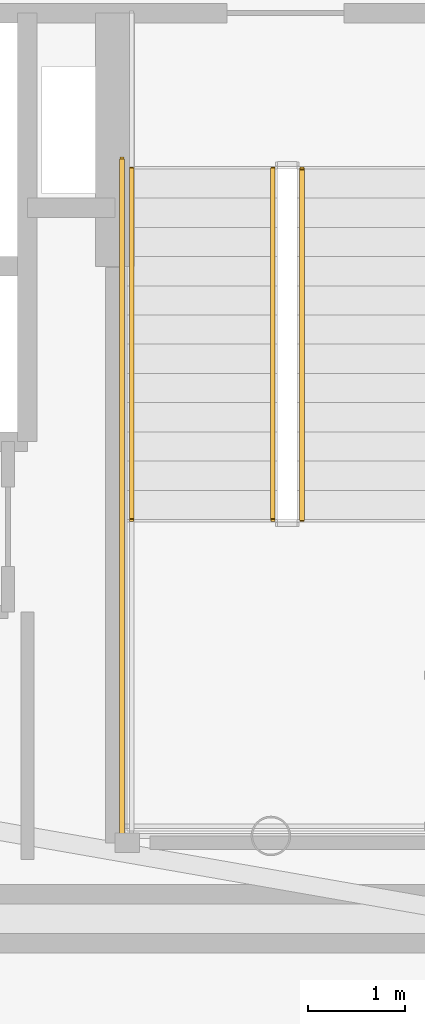
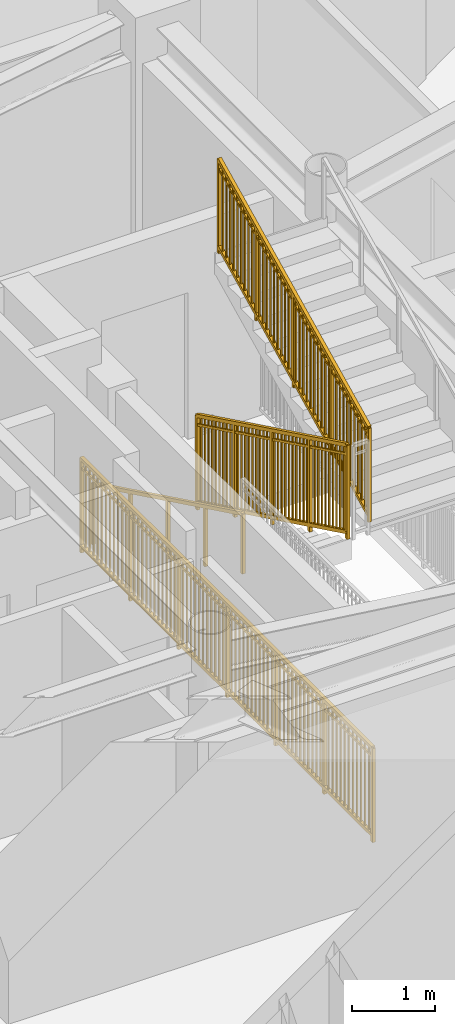
# One storey, part 13 of 17: 4 railings.
"""IFC4 building model written with IfcOpenShell, lengths in metres."""

from ifc_helpers import new_model, si_unit, direction, frame, origin, origin_2d, place, context, subcontext, project, spatial, rectangle, extrude, source, transform, mapped, material, type_object, element, save


model = new_model("IFC4")

# Units and contexts
model_context = context("Model", 3, precision=1e-05, world=origin(), true_north=direction((0.0, 1.0)))
body_context = subcontext(model_context, "Body", "Model", "MODEL_VIEW")
ifc_project = project(units=[si_unit("LENGTHUNIT", "METRE"), si_unit("AREAUNIT", "SQUARE_METRE"), si_unit("VOLUMEUNIT", "CUBIC_METRE"), si_unit("PLANEANGLEUNIT", "RADIAN"), si_unit("MASSUNIT", "GRAM", prefix="KILO")], contexts=[model_context])

# Site, building, storey
site_placement = place(None, origin())
site = spatial("IfcSite", under=ifc_project, at=site_placement, CompositionType="ELEMENT")
building_placement = place(site_placement, origin())
building = spatial("IfcBuilding", under=site, at=building_placement, Name="Linh Dai School and Residence Tower", CompositionType="ELEMENT")
storey_placement = place(building_placement, frame((0.0, 0.0, 331.60009765625)))
storey = spatial("IfcBuildingStorey", under=building, at=storey_placement, Name="L82", CompositionType="ELEMENT", Elevation=331.60009765625)

# Railings
ifc_material_1 = material(Name="Structural Steel S355JR", Category="steel")
railing_type_1 = type_object("IfcRailingType", Name="RL-ST-GUARD-1400", PredefinedType="GUARDRAIL", material=ifc_material_1)
shared_shape_1 = source(origin(), body_context, "Body", "SweptSolid", [
    extrude(rectangle(XDim=0.048095703125, YDim=0.048095703125, at=origin_2d()), frame((0.0, 0.0, 1.3759765625), z_axis=(0.0, 0.899012640991, 0.437922677352), x_axis=(-1.0, 0.0, 0.0)), (0.0, 0.0, 1.0), 4.00439453125),
    extrude(rectangle(XDim=0.048095703125, YDim=0.048095703125, at=origin_2d()), frame((0.0, 0.0, 0.10009765625), z_axis=(0.0, 0.899012640991, 0.437922677352), x_axis=(-1.0, 0.0, 0.0)), (0.0, 0.0, 1.0), 4.00439453125),
    extrude(rectangle(XDim=0.030029296875, YDim=0.030029296875, at=origin_2d()), frame((0.0, 0.0, 1.239990234375), z_axis=(0.0, 0.899012640991, 0.437922677352), x_axis=(-1.0, 0.0, 0.0)), (0.0, 0.0, 1.0), 4.00439453125),
    extrude(rectangle(XDim=0.02001953125, YDim=0.02001953125, at=origin_2d()), frame((0.0, 0.087890625, 0.142822265625)), (0.0, 0.0, 1.0), 1.251708984375),
    extrude(rectangle(XDim=0.02001953125, YDim=0.02001953125, at=origin_2d()), frame((0.0, 0.175537109375, 0.185546875)), (0.0, 0.0, 1.0), 1.251708984375),
    extrude(rectangle(XDim=0.02001953125, YDim=0.02001953125, at=origin_2d()), frame((0.0, 0.263427734375, 0.228515625)), (0.0, 0.0, 1.0), 1.251708984375),
    extrude(rectangle(XDim=0.02001953125, YDim=0.02001953125, at=origin_2d()), frame((0.0, 0.351318359375, 0.271240234375)), (0.0, 0.0, 1.0), 1.251708984375),
    extrude(rectangle(XDim=0.02001953125, YDim=0.02001953125, at=origin_2d()), frame((0.0, 0.43896484375, 0.31396484375)), (0.0, 0.0, 1.0), 1.251708984375),
    extrude(rectangle(XDim=0.02001953125, YDim=0.02001953125, at=origin_2d()), frame((0.0, 0.52685546875, 0.356689453125)), (0.0, 0.0, 1.0), 1.251708984375),
    extrude(rectangle(XDim=0.02001953125, YDim=0.02001953125, at=origin_2d()), frame((0.0, 0.61474609375, 0.3994140625)), (0.0, 0.0, 1.0), 1.251708984375),
    extrude(rectangle(XDim=0.02001953125, YDim=0.02001953125, at=origin_2d()), frame((0.0, 0.702392578125, 0.4423828125)), (0.0, 0.0, 1.0), 1.251708984375),
    extrude(rectangle(XDim=0.02001953125, YDim=0.02001953125, at=origin_2d()), frame((0.0, 0.790283203125, 0.485107421875)), (0.0, 0.0, 1.0), 1.251708984375),
    extrude(rectangle(XDim=0.02001953125, YDim=0.02001953125, at=origin_2d()), frame((0.0, 0.9658203125, 0.570556640625)), (0.0, 0.0, 1.0), 1.251708984375),
    extrude(rectangle(XDim=0.02001953125, YDim=0.02001953125, at=origin_2d()), frame((0.0, 1.0537109375, 0.61328125)), (0.0, 0.0, 1.0), 1.251708984375),
    extrude(rectangle(XDim=0.02001953125, YDim=0.02001953125, at=origin_2d()), frame((0.0, 1.1416015625, 0.65625)), (0.0, 0.0, 1.0), 1.251708984375),
    extrude(rectangle(XDim=0.02001953125, YDim=0.02001953125, at=origin_2d()), frame((0.0, 1.229248046875, 0.698974609375)), (0.0, 0.0, 1.0), 1.251708984375),
    extrude(rectangle(XDim=0.02001953125, YDim=0.02001953125, at=origin_2d()), frame((0.0, 1.317138671875, 0.74169921875)), (0.0, 0.0, 1.0), 1.251708984375),
    extrude(rectangle(XDim=0.02001953125, YDim=0.02001953125, at=origin_2d()), frame((0.0, 1.405029296875, 0.784423828125)), (0.0, 0.0, 1.0), 1.251708984375),
    extrude(rectangle(XDim=0.02001953125, YDim=0.02001953125, at=origin_2d()), frame((0.0, 1.49267578125, 0.8271484375)), (0.0, 0.0, 1.0), 1.251708984375),
    extrude(rectangle(XDim=0.02001953125, YDim=0.02001953125, at=origin_2d()), frame((0.0, 1.58056640625, 0.8701171875)), (0.0, 0.0, 1.0), 1.251708984375),
    extrude(rectangle(XDim=0.02001953125, YDim=0.02001953125, at=origin_2d()), frame((0.0, 1.66845703125, 0.912841796875)), (0.0, 0.0, 1.0), 1.251708984375),
    extrude(rectangle(XDim=0.02001953125, YDim=0.02001953125, at=origin_2d()), frame((0.0, 1.756103515625, 0.95556640625)), (0.0, 0.0, 1.0), 1.251708984375),
    extrude(rectangle(XDim=0.02001953125, YDim=0.02001953125, at=origin_2d()), frame((0.0, 1.843994140625, 0.998291015625)), (0.0, 0.0, 1.0), 1.251708984375),
    extrude(rectangle(XDim=0.02001953125, YDim=0.02001953125, at=origin_2d()), frame((0.0, 1.931640625, 1.041015625)), (0.0, 0.0, 1.0), 1.251708984375),
    extrude(rectangle(XDim=0.02001953125, YDim=0.02001953125, at=origin_2d()), frame((0.0, 2.01953125, 1.083740234375)), (0.0, 0.0, 1.0), 1.251708984375),
    extrude(rectangle(XDim=0.02001953125, YDim=0.02001953125, at=origin_2d()), frame((0.0, 2.107421875, 1.126708984375)), (0.0, 0.0, 1.0), 1.251708984375),
    extrude(rectangle(XDim=0.02001953125, YDim=0.02001953125, at=origin_2d()), frame((0.0, 2.195068359375, 1.16943359375)), (0.0, 0.0, 1.0), 1.251708984375),
    extrude(rectangle(XDim=0.02001953125, YDim=0.02001953125, at=origin_2d()), frame((0.0, 2.282958984375, 1.212158203125)), (0.0, 0.0, 1.0), 1.251708984375),
    extrude(rectangle(XDim=0.02001953125, YDim=0.02001953125, at=origin_2d()), frame((0.0, 2.370849609375, 1.2548828125)), (0.0, 0.0, 1.0), 1.251708984375),
    extrude(rectangle(XDim=0.02001953125, YDim=0.02001953125, at=origin_2d()), frame((0.0, 2.45849609375, 1.297607421875)), (0.0, 0.0, 1.0), 1.251708984375),
    extrude(rectangle(XDim=0.02001953125, YDim=0.02001953125, at=origin_2d()), frame((0.0, 2.54638671875, 1.340576171875)), (0.0, 0.0, 1.0), 1.251708984375),
    extrude(rectangle(XDim=0.02001953125, YDim=0.02001953125, at=origin_2d()), frame((0.0, 2.63427734375, 1.38330078125)), (0.0, 0.0, 1.0), 1.251708984375),
    extrude(rectangle(XDim=0.02001953125, YDim=0.02001953125, at=origin_2d()), frame((0.0, 2.809814453125, 1.46875)), (0.0, 0.0, 1.0), 1.251708984375),
    extrude(rectangle(XDim=0.02001953125, YDim=0.02001953125, at=origin_2d()), frame((0.0, 2.897705078125, 1.511474609375)), (0.0, 0.0, 1.0), 1.251708984375),
    extrude(rectangle(XDim=0.02001953125, YDim=0.02001953125, at=origin_2d()), frame((0.0, 2.9853515625, 1.554443359375)), (0.0, 0.0, 1.0), 1.251708984375),
    extrude(rectangle(XDim=0.02001953125, YDim=0.02001953125, at=origin_2d()), frame((0.0, 3.0732421875, 1.59716796875)), (0.0, 0.0, 1.0), 1.251708984375),
    extrude(rectangle(XDim=0.02001953125, YDim=0.02001953125, at=origin_2d()), frame((0.0, 3.1611328125, 1.639892578125)), (0.0, 0.0, 1.0), 1.251708984375),
    extrude(rectangle(XDim=0.02001953125, YDim=0.02001953125, at=origin_2d()), frame((0.0, 3.248779296875, 1.6826171875)), (0.0, 0.0, 1.0), 1.251708984375),
    extrude(rectangle(XDim=0.02001953125, YDim=0.02001953125, at=origin_2d()), frame((0.0, 3.336669921875, 1.725341796875)), (0.0, 0.0, 1.0), 1.251708984375),
    extrude(rectangle(XDim=0.02001953125, YDim=0.02001953125, at=origin_2d()), frame((0.0, 3.424560546875, 1.768310546875)), (0.0, 0.0, 1.0), 1.251708984375),
    extrude(rectangle(XDim=0.02001953125, YDim=0.02001953125, at=origin_2d()), frame((0.0, 3.51220703125, 1.81103515625)), (0.0, 0.0, 1.0), 1.251708984375),
    extrude(rectangle(XDim=0.0419921875, YDim=0.0419921875, at=origin_2d()), origin(), (0.0, 0.0, 1.0), 1.3759765625),
    extrude(rectangle(XDim=0.0419921875, YDim=0.0419921875, at=origin_2d()), frame((0.0, 0.89990234375, 0.4384765625)), (0.0, 0.0, 1.0), 1.3759765625),
    extrude(rectangle(XDim=0.0419921875, YDim=0.0419921875, at=origin_2d()), frame((0.0, 1.800048828125, 0.876953125)), (0.0, 0.0, 1.0), 1.3759765625),
    extrude(rectangle(XDim=0.0419921875, YDim=0.0419921875, at=origin_2d()), frame((0.0, 2.7001953125, 1.315185546875)), (0.0, 0.0, 1.0), 1.3759765625),
    extrude(rectangle(XDim=0.0419921875, YDim=0.0419921875, at=origin_2d()), frame((0.0, 3.60009765625, 1.753662109375)), (0.0, 0.0, 1.0), 1.3759765625),
])
railing_1_placement = place(storey_placement, frame((42.820068359375, 24.64990234375, 2.046142578125)))
element("IfcRailing", 1, at=railing_1_placement, inside=storey, type_object=railing_type_1, Name="L82 ST2 stair guard 6", PredefinedType="GUARDRAIL", context=body_context, shape_type="MappedRepresentation", body=[
    mapped(shared_shape_1, transform((0.0, 0.0, 0.0), x_axis=(1.0, 0.0, 0.0), y_axis=(0.0, 1.0, 0.0), z_axis=(0.0, 0.0, 1.0), scale=1.0)),
])
shared_shape_2 = source(origin(), body_context, "Body", "SweptSolid", [
    extrude(rectangle(XDim=0.048095703125, YDim=0.048095703125, at=origin_2d()), frame((0.0, 0.0, 1.3759765625), z_axis=(0.0, -0.898988637874, 0.437971949985), x_axis=(1.0, 0.0, 0.0)), (0.0, 0.0, 1.0), 4.004638671875),
    extrude(rectangle(XDim=0.048095703125, YDim=0.048095703125, at=origin_2d()), frame((0.0, 0.0, 0.10009765625), z_axis=(0.0, -0.898988637874, 0.437971949985), x_axis=(1.0, 0.0, 0.0)), (0.0, 0.0, 1.0), 4.004638671875),
    extrude(rectangle(XDim=0.030029296875, YDim=0.030029296875, at=origin_2d()), frame((0.0, 0.0, 1.239990234375), z_axis=(0.0, -0.898988637874, 0.437971949985), x_axis=(1.0, 0.0, 0.0)), (0.0, 0.0, 1.0), 4.004638671875),
    extrude(rectangle(XDim=0.02001953125, YDim=0.02001953125, at=origin_2d()), frame((0.0, -0.087890625, 0.142822265625)), (0.0, 0.0, 1.0), 1.251708984375),
    extrude(rectangle(XDim=0.02001953125, YDim=0.02001953125, at=origin_2d()), frame((0.0, -0.175537109375, 0.185546875)), (0.0, 0.0, 1.0), 1.251708984375),
    extrude(rectangle(XDim=0.02001953125, YDim=0.02001953125, at=origin_2d()), frame((0.0, -0.263427734375, 0.228515625)), (0.0, 0.0, 1.0), 1.251708984375),
    extrude(rectangle(XDim=0.02001953125, YDim=0.02001953125, at=origin_2d()), frame((0.0, -0.351318359375, 0.271240234375)), (0.0, 0.0, 1.0), 1.251708984375),
    extrude(rectangle(XDim=0.02001953125, YDim=0.02001953125, at=origin_2d()), frame((0.0, -0.43896484375, 0.31396484375)), (0.0, 0.0, 1.0), 1.251708984375),
    extrude(rectangle(XDim=0.02001953125, YDim=0.02001953125, at=origin_2d()), frame((0.0, -0.52685546875, 0.356689453125)), (0.0, 0.0, 1.0), 1.251708984375),
    extrude(rectangle(XDim=0.02001953125, YDim=0.02001953125, at=origin_2d()), frame((0.0, -0.61474609375, 0.399658203125)), (0.0, 0.0, 1.0), 1.251708984375),
    extrude(rectangle(XDim=0.02001953125, YDim=0.02001953125, at=origin_2d()), frame((0.0, -0.702392578125, 0.4423828125)), (0.0, 0.0, 1.0), 1.251708984375),
    extrude(rectangle(XDim=0.02001953125, YDim=0.02001953125, at=origin_2d()), frame((0.0, -0.790283203125, 0.485107421875)), (0.0, 0.0, 1.0), 1.251708984375),
    extrude(rectangle(XDim=0.02001953125, YDim=0.02001953125, at=origin_2d()), frame((0.0, -0.9658203125, 0.570556640625)), (0.0, 0.0, 1.0), 1.251708984375),
    extrude(rectangle(XDim=0.02001953125, YDim=0.02001953125, at=origin_2d()), frame((0.0, -1.0537109375, 0.613525390625)), (0.0, 0.0, 1.0), 1.251708984375),
    extrude(rectangle(XDim=0.02001953125, YDim=0.02001953125, at=origin_2d()), frame((0.0, -1.1416015625, 0.65625)), (0.0, 0.0, 1.0), 1.251708984375),
    extrude(rectangle(XDim=0.02001953125, YDim=0.02001953125, at=origin_2d()), frame((0.0, -1.229248046875, 0.698974609375)), (0.0, 0.0, 1.0), 1.251708984375),
    extrude(rectangle(XDim=0.02001953125, YDim=0.02001953125, at=origin_2d()), frame((0.0, -1.317138671875, 0.74169921875)), (0.0, 0.0, 1.0), 1.251708984375),
    extrude(rectangle(XDim=0.02001953125, YDim=0.02001953125, at=origin_2d()), frame((0.0, -1.405029296875, 0.78466796875)), (0.0, 0.0, 1.0), 1.251708984375),
    extrude(rectangle(XDim=0.02001953125, YDim=0.02001953125, at=origin_2d()), frame((0.0, -1.49267578125, 0.827392578125)), (0.0, 0.0, 1.0), 1.251708984375),
    extrude(rectangle(XDim=0.02001953125, YDim=0.02001953125, at=origin_2d()), frame((0.0, -1.58056640625, 0.8701171875)), (0.0, 0.0, 1.0), 1.251708984375),
    extrude(rectangle(XDim=0.02001953125, YDim=0.02001953125, at=origin_2d()), frame((0.0, -1.66845703125, 0.912841796875)), (0.0, 0.0, 1.0), 1.251708984375),
    extrude(rectangle(XDim=0.02001953125, YDim=0.02001953125, at=origin_2d()), frame((0.0, -1.756103515625, 0.95556640625)), (0.0, 0.0, 1.0), 1.251708984375),
    extrude(rectangle(XDim=0.02001953125, YDim=0.02001953125, at=origin_2d()), frame((0.0, -1.843994140625, 0.99853515625)), (0.0, 0.0, 1.0), 1.251708984375),
    extrude(rectangle(XDim=0.02001953125, YDim=0.02001953125, at=origin_2d()), frame((0.0, -1.931640625, 1.041259765625)), (0.0, 0.0, 1.0), 1.251708984375),
    extrude(rectangle(XDim=0.02001953125, YDim=0.02001953125, at=origin_2d()), frame((0.0, -2.01953125, 1.083984375)), (0.0, 0.0, 1.0), 1.251708984375),
    extrude(rectangle(XDim=0.02001953125, YDim=0.02001953125, at=origin_2d()), frame((0.0, -2.107421875, 1.126708984375)), (0.0, 0.0, 1.0), 1.251708984375),
    extrude(rectangle(XDim=0.02001953125, YDim=0.02001953125, at=origin_2d()), frame((0.0, -2.195068359375, 1.16943359375)), (0.0, 0.0, 1.0), 1.251708984375),
    extrude(rectangle(XDim=0.02001953125, YDim=0.02001953125, at=origin_2d()), frame((0.0, -2.282958984375, 1.21240234375)), (0.0, 0.0, 1.0), 1.251708984375),
    extrude(rectangle(XDim=0.02001953125, YDim=0.02001953125, at=origin_2d()), frame((0.0, -2.370849609375, 1.255126953125)), (0.0, 0.0, 1.0), 1.251708984375),
    extrude(rectangle(XDim=0.02001953125, YDim=0.02001953125, at=origin_2d()), frame((0.0, -2.45849609375, 1.2978515625)), (0.0, 0.0, 1.0), 1.251708984375),
    extrude(rectangle(XDim=0.02001953125, YDim=0.02001953125, at=origin_2d()), frame((0.0, -2.54638671875, 1.340576171875)), (0.0, 0.0, 1.0), 1.251708984375),
    extrude(rectangle(XDim=0.02001953125, YDim=0.02001953125, at=origin_2d()), frame((0.0, -2.63427734375, 1.383544921875)), (0.0, 0.0, 1.0), 1.251708984375),
    extrude(rectangle(XDim=0.02001953125, YDim=0.02001953125, at=origin_2d()), frame((0.0, -2.809814453125, 1.468994140625)), (0.0, 0.0, 1.0), 1.251708984375),
    extrude(rectangle(XDim=0.02001953125, YDim=0.02001953125, at=origin_2d()), frame((0.0, -2.897705078125, 1.51171875)), (0.0, 0.0, 1.0), 1.251708984375),
    extrude(rectangle(XDim=0.02001953125, YDim=0.02001953125, at=origin_2d()), frame((0.0, -2.9853515625, 1.554443359375)), (0.0, 0.0, 1.0), 1.251708984375),
    extrude(rectangle(XDim=0.02001953125, YDim=0.02001953125, at=origin_2d()), frame((0.0, -3.0732421875, 1.597412109375)), (0.0, 0.0, 1.0), 1.251708984375),
    extrude(rectangle(XDim=0.02001953125, YDim=0.02001953125, at=origin_2d()), frame((0.0, -3.1611328125, 1.64013671875)), (0.0, 0.0, 1.0), 1.251708984375),
    extrude(rectangle(XDim=0.02001953125, YDim=0.02001953125, at=origin_2d()), frame((0.0, -3.248779296875, 1.682861328125)), (0.0, 0.0, 1.0), 1.251708984375),
    extrude(rectangle(XDim=0.02001953125, YDim=0.02001953125, at=origin_2d()), frame((0.0, -3.336669921875, 1.7255859375)), (0.0, 0.0, 1.0), 1.251708984375),
    extrude(rectangle(XDim=0.02001953125, YDim=0.02001953125, at=origin_2d()), frame((0.0, -3.424560546875, 1.7685546875)), (0.0, 0.0, 1.0), 1.251708984375),
    extrude(rectangle(XDim=0.02001953125, YDim=0.02001953125, at=origin_2d()), frame((0.0, -3.51220703125, 1.811279296875)), (0.0, 0.0, 1.0), 1.251708984375),
    extrude(rectangle(XDim=0.0419921875, YDim=0.0419921875, at=origin_2d()), origin(), (0.0, 0.0, 1.0), 1.3759765625),
    extrude(rectangle(XDim=0.0419921875, YDim=0.0419921875, at=origin_2d()), frame((0.0, -0.89990234375, 0.4384765625)), (0.0, 0.0, 1.0), 1.3759765625),
    extrude(rectangle(XDim=0.0419921875, YDim=0.0419921875, at=origin_2d()), frame((0.0, -1.800048828125, 0.876953125)), (0.0, 0.0, 1.0), 1.3759765625),
    extrude(rectangle(XDim=0.0419921875, YDim=0.0419921875, at=origin_2d()), frame((0.0, -2.7001953125, 1.3154296875)), (0.0, 0.0, 1.0), 1.3759765625),
    extrude(rectangle(XDim=0.0419921875, YDim=0.0419921875, at=origin_2d()), frame((0.0, -3.60009765625, 1.75390625)), (0.0, 0.0, 1.0), 1.3759765625),
])
railing_2_placement = place(storey_placement, frame((42.52001953125, 28.25, 0.14599609375)))
element("IfcRailing", 2, at=railing_2_placement, inside=storey, type_object=railing_type_1, Name="L82 ST2 stair guard 1", PredefinedType="GUARDRAIL", context=body_context, shape_type="MappedRepresentation", body=[
    mapped(shared_shape_2, transform((0.0, 0.0, 0.0), x_axis=(1.0, 0.0, 0.0), y_axis=(0.0, 1.0, 0.0), z_axis=(0.0, 0.0, 1.0), scale=1.0)),
])
ifc_material_2 = material(Name="Brushed Stainless Steel Handrail", Category="steel")
railing_type_2 = type_object("IfcRailingType", Name="RL-ST-HANDRAIL-900", PredefinedType="HANDRAIL", material=ifc_material_2)
shared_shape_3 = source(origin(), body_context, "Body", "SweptSolid", [
    extrude(rectangle(XDim=0.048095703125, YDim=0.048095703125, at=origin_2d()), frame((0.0, 0.0, 0.8759765625), z_axis=(0.0, -0.898988637874, 0.437971949985), x_axis=(1.0, 0.0, 0.0)), (0.0, 0.0, 1.0), 4.004638671875),
    extrude(rectangle(XDim=0.0419921875, YDim=0.0419921875, at=origin_2d()), origin(), (0.0, 0.0, 1.0), 0.8759765625),
    extrude(rectangle(XDim=0.0419921875, YDim=0.0419921875, at=origin_2d()), frame((0.0, -0.89990234375, 0.4384765625)), (0.0, 0.0, 1.0), 0.8759765625),
    extrude(rectangle(XDim=0.0419921875, YDim=0.0419921875, at=origin_2d()), frame((0.0, -1.800048828125, 0.876953125)), (0.0, 0.0, 1.0), 0.8759765625),
    extrude(rectangle(XDim=0.0419921875, YDim=0.0419921875, at=origin_2d()), frame((0.0, -2.7001953125, 1.3154296875)), (0.0, 0.0, 1.0), 0.8759765625),
    extrude(rectangle(XDim=0.0419921875, YDim=0.0419921875, at=origin_2d()), frame((0.0, -3.60009765625, 1.75390625)), (0.0, 0.0, 1.0), 0.8759765625),
])
railing_3_placement = place(storey_placement, frame((41.070068359375, 28.25, 0.14599609375)))
element("IfcRailing", 3, at=railing_3_placement, inside=storey, type_object=railing_type_2, Name="L82 ST2 stair handrail 1", PredefinedType="HANDRAIL", context=body_context, shape_type="MappedRepresentation", body=[
    mapped(shared_shape_3, transform((0.0, 0.0, 0.0), x_axis=(1.0, 0.0, 0.0), y_axis=(0.0, 1.0, 0.0), z_axis=(0.0, 0.0, 1.0), scale=1.0)),
])
shared_shape_4 = source(origin(), body_context, "Body", "SweptSolid", [
    extrude(rectangle(XDim=0.048095703125, YDim=0.048095703125, at=origin_2d()), frame((0.0, 0.0, 1.3759765625), z_axis=(0.0, -1.0, 0.0), x_axis=(1.0, 0.0, 0.0)), (0.0, 0.0, 1.0), 7.0),
    extrude(rectangle(XDim=0.048095703125, YDim=0.048095703125, at=origin_2d()), frame((0.0, 0.0, 0.10009765625), z_axis=(0.0, -1.0, 0.0), x_axis=(1.0, 0.0, 0.0)), (0.0, 0.0, 1.0), 7.0),
    extrude(rectangle(XDim=0.030029296875, YDim=0.030029296875, at=origin_2d()), frame((0.0, 0.0, 1.239990234375), z_axis=(0.0, -1.0, 0.0), x_axis=(1.0, 0.0, 0.0)), (0.0, 0.0, 1.0), 7.0),
    extrude(rectangle(XDim=0.02001953125, YDim=0.02001953125, at=origin_2d()), frame((0.0, -0.09716796875, 0.10009765625)), (0.0, 0.0, 1.0), 1.251708984375),
    extrude(rectangle(XDim=0.02001953125, YDim=0.02001953125, at=origin_2d()), frame((0.0, -0.1943359375, 0.10009765625)), (0.0, 0.0, 1.0), 1.251708984375),
    extrude(rectangle(XDim=0.02001953125, YDim=0.02001953125, at=origin_2d()), frame((0.0, -0.291748046875, 0.10009765625)), (0.0, 0.0, 1.0), 1.251708984375),
    extrude(rectangle(XDim=0.02001953125, YDim=0.02001953125, at=origin_2d()), frame((0.0, -0.388916015625, 0.10009765625)), (0.0, 0.0, 1.0), 1.251708984375),
    extrude(rectangle(XDim=0.02001953125, YDim=0.02001953125, at=origin_2d()), frame((0.0, -0.486083984375, 0.10009765625)), (0.0, 0.0, 1.0), 1.251708984375),
    extrude(rectangle(XDim=0.02001953125, YDim=0.02001953125, at=origin_2d()), frame((0.0, -0.583251953125, 0.10009765625)), (0.0, 0.0, 1.0), 1.251708984375),
    extrude(rectangle(XDim=0.02001953125, YDim=0.02001953125, at=origin_2d()), frame((0.0, -0.6806640625, 0.10009765625)), (0.0, 0.0, 1.0), 1.251708984375),
    extrude(rectangle(XDim=0.02001953125, YDim=0.02001953125, at=origin_2d()), frame((0.0, -0.77783203125, 0.10009765625)), (0.0, 0.0, 1.0), 1.251708984375),
    extrude(rectangle(XDim=0.02001953125, YDim=0.02001953125, at=origin_2d()), frame((0.0, -0.875, 0.10009765625)), (0.0, 0.0, 1.0), 1.251708984375),
    extrude(rectangle(XDim=0.02001953125, YDim=0.02001953125, at=origin_2d()), frame((0.0, -0.97216796875, 0.10009765625)), (0.0, 0.0, 1.0), 1.251708984375),
    extrude(rectangle(XDim=0.02001953125, YDim=0.02001953125, at=origin_2d()), frame((0.0, -1.0693359375, 0.10009765625)), (0.0, 0.0, 1.0), 1.251708984375),
    extrude(rectangle(XDim=0.02001953125, YDim=0.02001953125, at=origin_2d()), frame((0.0, -1.263916015625, 0.10009765625)), (0.0, 0.0, 1.0), 1.251708984375),
    extrude(rectangle(XDim=0.02001953125, YDim=0.02001953125, at=origin_2d()), frame((0.0, -1.361083984375, 0.10009765625)), (0.0, 0.0, 1.0), 1.251708984375),
    extrude(rectangle(XDim=0.02001953125, YDim=0.02001953125, at=origin_2d()), frame((0.0, -1.458251953125, 0.10009765625)), (0.0, 0.0, 1.0), 1.251708984375),
    extrude(rectangle(XDim=0.02001953125, YDim=0.02001953125, at=origin_2d()), frame((0.0, -1.5556640625, 0.10009765625)), (0.0, 0.0, 1.0), 1.251708984375),
    extrude(rectangle(XDim=0.02001953125, YDim=0.02001953125, at=origin_2d()), frame((0.0, -1.65283203125, 0.10009765625)), (0.0, 0.0, 1.0), 1.251708984375),
    extrude(rectangle(XDim=0.02001953125, YDim=0.02001953125, at=origin_2d()), frame((0.0, -1.75, 0.10009765625)), (0.0, 0.0, 1.0), 1.251708984375),
    extrude(rectangle(XDim=0.02001953125, YDim=0.02001953125, at=origin_2d()), frame((0.0, -1.84716796875, 0.10009765625)), (0.0, 0.0, 1.0), 1.251708984375),
    extrude(rectangle(XDim=0.02001953125, YDim=0.02001953125, at=origin_2d()), frame((0.0, -1.9443359375, 0.10009765625)), (0.0, 0.0, 1.0), 1.251708984375),
    extrude(rectangle(XDim=0.02001953125, YDim=0.02001953125, at=origin_2d()), frame((0.0, -2.041748046875, 0.10009765625)), (0.0, 0.0, 1.0), 1.251708984375),
    extrude(rectangle(XDim=0.02001953125, YDim=0.02001953125, at=origin_2d()), frame((0.0, -2.138916015625, 0.10009765625)), (0.0, 0.0, 1.0), 1.251708984375),
    extrude(rectangle(XDim=0.02001953125, YDim=0.02001953125, at=origin_2d()), frame((0.0, -2.236083984375, 0.10009765625)), (0.0, 0.0, 1.0), 1.251708984375),
    extrude(rectangle(XDim=0.02001953125, YDim=0.02001953125, at=origin_2d()), frame((0.0, -2.4306640625, 0.10009765625)), (0.0, 0.0, 1.0), 1.251708984375),
    extrude(rectangle(XDim=0.02001953125, YDim=0.02001953125, at=origin_2d()), frame((0.0, -2.52783203125, 0.10009765625)), (0.0, 0.0, 1.0), 1.251708984375),
    extrude(rectangle(XDim=0.02001953125, YDim=0.02001953125, at=origin_2d()), frame((0.0, -2.625, 0.10009765625)), (0.0, 0.0, 1.0), 1.251708984375),
    extrude(rectangle(XDim=0.02001953125, YDim=0.02001953125, at=origin_2d()), frame((0.0, -2.72216796875, 0.10009765625)), (0.0, 0.0, 1.0), 1.251708984375),
    extrude(rectangle(XDim=0.02001953125, YDim=0.02001953125, at=origin_2d()), frame((0.0, -2.8193359375, 0.10009765625)), (0.0, 0.0, 1.0), 1.251708984375),
    extrude(rectangle(XDim=0.02001953125, YDim=0.02001953125, at=origin_2d()), frame((0.0, -2.916748046875, 0.10009765625)), (0.0, 0.0, 1.0), 1.251708984375),
    extrude(rectangle(XDim=0.02001953125, YDim=0.02001953125, at=origin_2d()), frame((0.0, -3.013916015625, 0.10009765625)), (0.0, 0.0, 1.0), 1.251708984375),
    extrude(rectangle(XDim=0.02001953125, YDim=0.02001953125, at=origin_2d()), frame((0.0, -3.111083984375, 0.10009765625)), (0.0, 0.0, 1.0), 1.251708984375),
    extrude(rectangle(XDim=0.02001953125, YDim=0.02001953125, at=origin_2d()), frame((0.0, -3.208251953125, 0.10009765625)), (0.0, 0.0, 1.0), 1.251708984375),
    extrude(rectangle(XDim=0.02001953125, YDim=0.02001953125, at=origin_2d()), frame((0.0, -3.3056640625, 0.10009765625)), (0.0, 0.0, 1.0), 1.251708984375),
    extrude(rectangle(XDim=0.02001953125, YDim=0.02001953125, at=origin_2d()), frame((0.0, -3.40283203125, 0.10009765625)), (0.0, 0.0, 1.0), 1.251708984375),
    extrude(rectangle(XDim=0.02001953125, YDim=0.02001953125, at=origin_2d()), frame((0.0, -3.59716796875, 0.10009765625)), (0.0, 0.0, 1.0), 1.251708984375),
    extrude(rectangle(XDim=0.02001953125, YDim=0.02001953125, at=origin_2d()), frame((0.0, -3.6943359375, 0.10009765625)), (0.0, 0.0, 1.0), 1.251708984375),
    extrude(rectangle(XDim=0.02001953125, YDim=0.02001953125, at=origin_2d()), frame((0.0, -3.791748046875, 0.10009765625)), (0.0, 0.0, 1.0), 1.251708984375),
    extrude(rectangle(XDim=0.02001953125, YDim=0.02001953125, at=origin_2d()), frame((0.0, -3.888916015625, 0.10009765625)), (0.0, 0.0, 1.0), 1.251708984375),
    extrude(rectangle(XDim=0.02001953125, YDim=0.02001953125, at=origin_2d()), frame((0.0, -3.986083984375, 0.10009765625)), (0.0, 0.0, 1.0), 1.251708984375),
    extrude(rectangle(XDim=0.02001953125, YDim=0.02001953125, at=origin_2d()), frame((0.0, -4.083251953125, 0.10009765625)), (0.0, 0.0, 1.0), 1.251708984375),
    extrude(rectangle(XDim=0.02001953125, YDim=0.02001953125, at=origin_2d()), frame((0.0, -4.1806640625, 0.10009765625)), (0.0, 0.0, 1.0), 1.251708984375),
    extrude(rectangle(XDim=0.02001953125, YDim=0.02001953125, at=origin_2d()), frame((0.0, -4.27783203125, 0.10009765625)), (0.0, 0.0, 1.0), 1.251708984375),
    extrude(rectangle(XDim=0.02001953125, YDim=0.02001953125, at=origin_2d()), frame((0.0, -4.375, 0.10009765625)), (0.0, 0.0, 1.0), 1.251708984375),
    extrude(rectangle(XDim=0.02001953125, YDim=0.02001953125, at=origin_2d()), frame((0.0, -4.47216796875, 0.10009765625)), (0.0, 0.0, 1.0), 1.251708984375),
    extrude(rectangle(XDim=0.02001953125, YDim=0.02001953125, at=origin_2d()), frame((0.0, -4.5693359375, 0.10009765625)), (0.0, 0.0, 1.0), 1.251708984375),
    extrude(rectangle(XDim=0.02001953125, YDim=0.02001953125, at=origin_2d()), frame((0.0, -4.763916015625, 0.10009765625)), (0.0, 0.0, 1.0), 1.251708984375),
    extrude(rectangle(XDim=0.02001953125, YDim=0.02001953125, at=origin_2d()), frame((0.0, -4.861083984375, 0.10009765625)), (0.0, 0.0, 1.0), 1.251708984375),
    extrude(rectangle(XDim=0.02001953125, YDim=0.02001953125, at=origin_2d()), frame((0.0, -4.958251953125, 0.10009765625)), (0.0, 0.0, 1.0), 1.251708984375),
    extrude(rectangle(XDim=0.02001953125, YDim=0.02001953125, at=origin_2d()), frame((0.0, -5.0556640625, 0.10009765625)), (0.0, 0.0, 1.0), 1.251708984375),
    extrude(rectangle(XDim=0.02001953125, YDim=0.02001953125, at=origin_2d()), frame((0.0, -5.15283203125, 0.10009765625)), (0.0, 0.0, 1.0), 1.251708984375),
    extrude(rectangle(XDim=0.02001953125, YDim=0.02001953125, at=origin_2d()), frame((0.0, -5.25, 0.10009765625)), (0.0, 0.0, 1.0), 1.251708984375),
    extrude(rectangle(XDim=0.02001953125, YDim=0.02001953125, at=origin_2d()), frame((0.0, -5.34716796875, 0.10009765625)), (0.0, 0.0, 1.0), 1.251708984375),
    extrude(rectangle(XDim=0.02001953125, YDim=0.02001953125, at=origin_2d()), frame((0.0, -5.4443359375, 0.10009765625)), (0.0, 0.0, 1.0), 1.251708984375),
    extrude(rectangle(XDim=0.02001953125, YDim=0.02001953125, at=origin_2d()), frame((0.0, -5.541748046875, 0.10009765625)), (0.0, 0.0, 1.0), 1.251708984375),
    extrude(rectangle(XDim=0.02001953125, YDim=0.02001953125, at=origin_2d()), frame((0.0, -5.638916015625, 0.10009765625)), (0.0, 0.0, 1.0), 1.251708984375),
    extrude(rectangle(XDim=0.02001953125, YDim=0.02001953125, at=origin_2d()), frame((0.0, -5.736083984375, 0.10009765625)), (0.0, 0.0, 1.0), 1.251708984375),
    extrude(rectangle(XDim=0.02001953125, YDim=0.02001953125, at=origin_2d()), frame((0.0, -5.9306640625, 0.10009765625)), (0.0, 0.0, 1.0), 1.251708984375),
    extrude(rectangle(XDim=0.02001953125, YDim=0.02001953125, at=origin_2d()), frame((0.0, -6.02783203125, 0.10009765625)), (0.0, 0.0, 1.0), 1.251708984375),
    extrude(rectangle(XDim=0.02001953125, YDim=0.02001953125, at=origin_2d()), frame((0.0, -6.125, 0.10009765625)), (0.0, 0.0, 1.0), 1.251708984375),
    extrude(rectangle(XDim=0.02001953125, YDim=0.02001953125, at=origin_2d()), frame((0.0, -6.22216796875, 0.10009765625)), (0.0, 0.0, 1.0), 1.251708984375),
    extrude(rectangle(XDim=0.02001953125, YDim=0.02001953125, at=origin_2d()), frame((0.0, -6.3193359375, 0.10009765625)), (0.0, 0.0, 1.0), 1.251708984375),
    extrude(rectangle(XDim=0.02001953125, YDim=0.02001953125, at=origin_2d()), frame((0.0, -6.416748046875, 0.10009765625)), (0.0, 0.0, 1.0), 1.251708984375),
    extrude(rectangle(XDim=0.02001953125, YDim=0.02001953125, at=origin_2d()), frame((0.0, -6.513916015625, 0.10009765625)), (0.0, 0.0, 1.0), 1.251708984375),
    extrude(rectangle(XDim=0.02001953125, YDim=0.02001953125, at=origin_2d()), frame((0.0, -6.611083984375, 0.10009765625)), (0.0, 0.0, 1.0), 1.251708984375),
    extrude(rectangle(XDim=0.02001953125, YDim=0.02001953125, at=origin_2d()), frame((0.0, -6.708251953125, 0.10009765625)), (0.0, 0.0, 1.0), 1.251708984375),
    extrude(rectangle(XDim=0.02001953125, YDim=0.02001953125, at=origin_2d()), frame((0.0, -6.8056640625, 0.10009765625)), (0.0, 0.0, 1.0), 1.251708984375),
    extrude(rectangle(XDim=0.02001953125, YDim=0.02001953125, at=origin_2d()), frame((0.0, -6.90283203125, 0.10009765625)), (0.0, 0.0, 1.0), 1.251708984375),
    extrude(rectangle(XDim=0.0419921875, YDim=0.0419921875, at=origin_2d()), origin(), (0.0, 0.0, 1.0), 1.3759765625),
    extrude(rectangle(XDim=0.0419921875, YDim=0.0419921875, at=origin_2d()), frame((0.0, -1.166748046875, 0.0)), (0.0, 0.0, 1.0), 1.3759765625),
    extrude(rectangle(XDim=0.0419921875, YDim=0.0419921875, at=origin_2d()), frame((0.0, -2.333251953125, 0.0)), (0.0, 0.0, 1.0), 1.3759765625),
    extrude(rectangle(XDim=0.0419921875, YDim=0.0419921875, at=origin_2d()), frame((0.0, -3.5, 0.0)), (0.0, 0.0, 1.0), 1.3759765625),
    extrude(rectangle(XDim=0.0419921875, YDim=0.0419921875, at=origin_2d()), frame((0.0, -4.666748046875, 0.0)), (0.0, 0.0, 1.0), 1.3759765625),
    extrude(rectangle(XDim=0.0419921875, YDim=0.0419921875, at=origin_2d()), frame((0.0, -5.833251953125, 0.0)), (0.0, 0.0, 1.0), 1.3759765625),
    extrude(rectangle(XDim=0.0419921875, YDim=0.0419921875, at=origin_2d()), frame((0.0, -7.0, 0.0)), (0.0, 0.0, 1.0), 1.3759765625),
])
railing_4_placement = place(storey_placement, frame((40.969970703125, 28.35009765625, 0.0)))
element("IfcRailing", 4, at=railing_4_placement, inside=storey, type_object=railing_type_1, Name="L82 ST2 stair guard 10", PredefinedType="GUARDRAIL", context=body_context, shape_type="MappedRepresentation", body=[
    mapped(shared_shape_4, transform((0.0, 0.0, 0.0), x_axis=(1.0, 0.0, 0.0), y_axis=(0.0, 1.0, 0.0), z_axis=(0.0, 0.0, 1.0), scale=1.0)),
])

save(model, "model.ifc")
